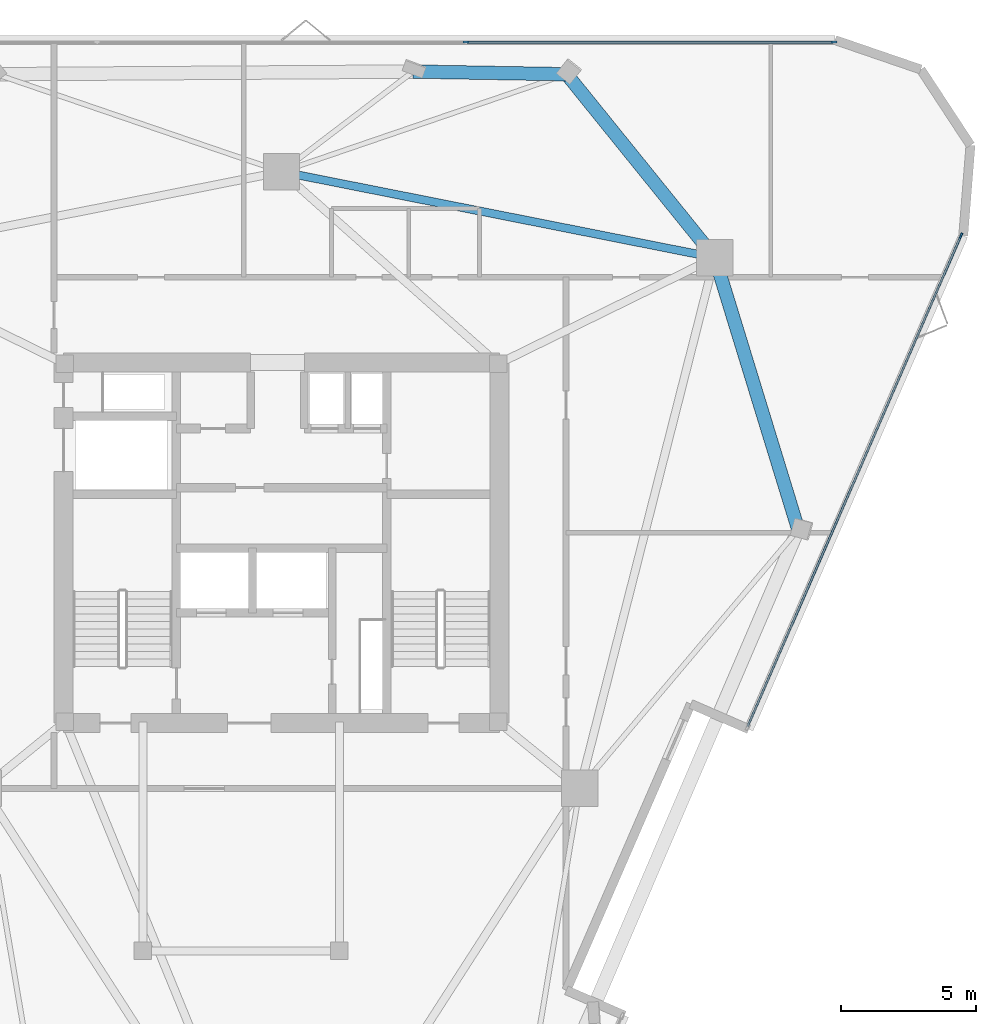
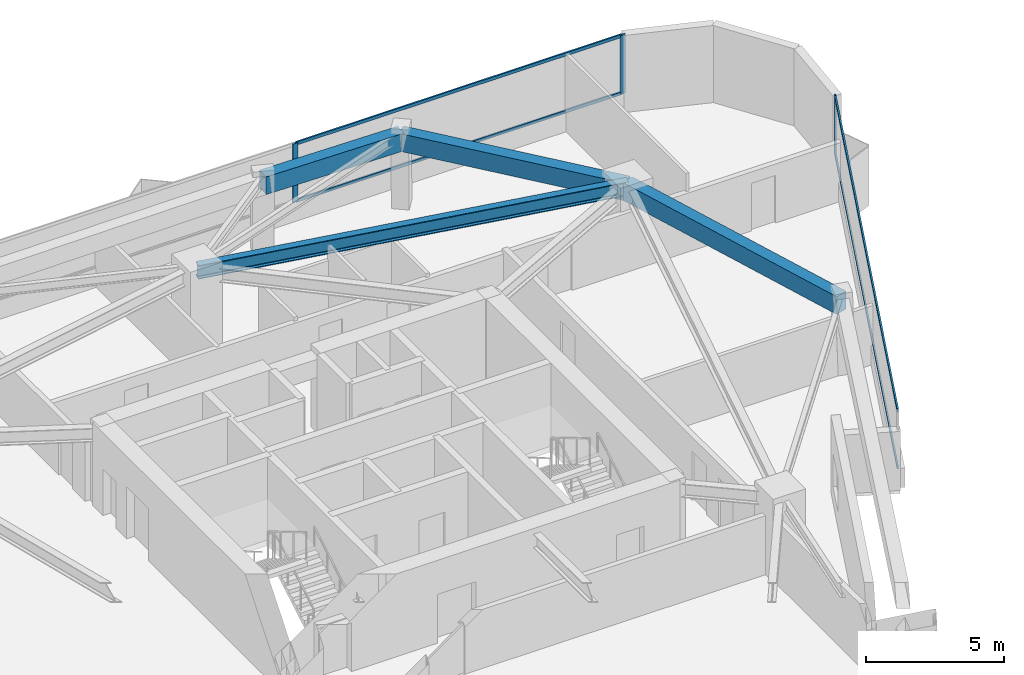
# One storey, part 6 of 10: 7 members, 4 beams, 2 elements without a shape of their own.
"""IFC4 building model written with IfcOpenShell, lengths in metres."""

from ifc_helpers import new_model, si_unit, direction, frame, origin, origin_2d, place, context, subcontext, project, spatial, rectangle, i_section, extrude, material, layer, layer_set, material_profile, profile_set, type_object, element, aggregate, save


model = new_model("IFC4")

# Units and contexts
model_context = context("Model", 3, precision=1e-05, world=origin(), true_north=direction((0.0, 1.0)))
body_context = subcontext(model_context, "Body", "Model", "MODEL_VIEW")
ifc_project = project(units=[si_unit("LENGTHUNIT", "METRE"), si_unit("AREAUNIT", "SQUARE_METRE"), si_unit("VOLUMEUNIT", "CUBIC_METRE"), si_unit("PLANEANGLEUNIT", "RADIAN"), si_unit("MASSUNIT", "GRAM", prefix="KILO")], contexts=[model_context])

# Site, building, storey
site_placement = place(None, origin())
site = spatial("IfcSite", under=ifc_project, at=site_placement, CompositionType="ELEMENT")
building_placement = place(site_placement, origin())
building = spatial("IfcBuilding", under=site, at=building_placement, Name="Talyreon Biosciences Tower", CompositionType="ELEMENT")
storey_placement = place(building_placement, frame((0.0, 0.0, 204.949951171875)))
storey = spatial("IfcBuildingStorey", under=building, at=storey_placement, Name="L54", CompositionType="ELEMENT", Elevation=204.949951171875)

# Curtain wall, members
ifc_material_1 = material(Name="Thermally broken aluminium and low-E glazing", Category="aluminium")
ifc_layer = layer(ifc_material_1, 0.205078125)
ifc_layer_set = layer_set([ifc_layer], Name="Thermally broken aluminium and low-E glazing")
curtain_wall_type = type_object("IfcCurtainWallType", Name="CurtainWall_SkyGardenLoggia", PredefinedType="NOTDEFINED", material=ifc_layer_set)
curtain_wall_1_placement = place(storey_placement, origin())
curtain_wall_1 = element("IfcCurtainWall", 1, at=curtain_wall_1_placement, inside=storey, type_object=curtain_wall_type, Name="L54 Unitised Curtain Wall FCW-L54-03", PredefinedType="NOTDEFINED")
ifc_material_2 = material(Name="Anodised thermally broken aluminium", Category="aluminium")
ifc_material_profile_1 = material_profile(ifc_material_2, rectangle(XDim=0.074951171875, YDim=0.2099609375, at=origin_2d()), Name="ALUM MULLION 75x210")
ifc_profile_set_1 = profile_set([ifc_material_profile_1], Name="Anodised thermally broken aluminium")
member_type_1 = type_object("IfcMemberType", Name="CWMullion_75x210", PredefinedType="MULLION", material=ifc_profile_set_1)
member_1_placement = place(storey_placement, frame((72.855224609375, 86.605224609375, 0.81005859375), z_axis=(0.0, 0.0, 1.0), x_axis=(0.0, 1.0, 0.0)))
member_1 = element("IfcMember", 2, at=member_1_placement, type_object=member_type_1, Name="CW7 mullion 3", PredefinedType="MULLION", context=body_context, shape_type="SweptSolid", body=[
    extrude(rectangle(XDim=0.074951171875, YDim=0.2099609375, at=origin_2d()), origin(), (0.0, 0.0, 1.0), 2.590087890625),
])
member_2_placement = place(storey_placement, frame((86.52783203125, 86.605224609375, 0.81005859375), z_axis=(0.0, 0.0, 1.0), x_axis=(0.0, 1.0, 0.0)))
member_2 = element("IfcMember", 3, at=member_2_placement, type_object=member_type_1, Name="CW7 mullion 4", PredefinedType="MULLION", context=body_context, shape_type="SweptSolid", body=[
    extrude(rectangle(XDim=0.074951171875, YDim=0.2099609375, at=origin_2d()), origin(), (0.0, 0.0, 1.0), 2.590087890625),
])

# Curtain wall, member
curtain_wall_2_placement = place(storey_placement, origin())
curtain_wall_2 = element("IfcCurtainWall", 4, at=curtain_wall_2_placement, inside=storey, type_object=curtain_wall_type, Name="L54 Unitised Curtain Wall FCW-L54-07", PredefinedType="NOTDEFINED")
member_3_placement = place(storey_placement, frame((91.24609375, 79.409912109375, 0.81005859375), z_axis=(0.0, 0.0, 1.0), x_axis=(0.91711290669, -0.398627540924, 0.0)))
member_3 = element("IfcMember", 5, at=member_3_placement, type_object=member_type_1, Name="CW7 mullion 1", PredefinedType="MULLION", context=body_context, shape_type="SweptSolid", body=[
    extrude(rectangle(XDim=0.074951171875, YDim=0.2099609375, at=origin_2d()), origin(), (0.0, 0.0, 1.0), 2.590087890625),
])

# Member
ifc_material_profile_2 = material_profile(ifc_material_2, rectangle(XDim=0.06494140625, YDim=0.139892578125, at=origin_2d()), Name="ALUM TRANSOM 65x140")
ifc_profile_set_2 = profile_set([ifc_material_profile_2], Name="Anodised thermally broken aluminium")
member_type_2 = type_object("IfcMemberType", Name="CWTransom_65x140", PredefinedType="USERDEFINED", material=ifc_profile_set_2)
member_4_placement = place(storey_placement, frame((72.892578125, 86.605224609375, 0.842529296875), z_axis=(1.0, 0.0, 0.0), x_axis=(0.0, 1.0, 0.0)))
member_4 = element("IfcMember", 6, at=member_4_placement, type_object=member_type_2, Name="CW7 transom 3.1", ObjectType="TRANSOM", PredefinedType="USERDEFINED", context=body_context, shape_type="SweptSolid", body=[
    extrude(rectangle(XDim=0.06494140625, YDim=0.139892578125, at=origin_2d()), origin(), (0.0, 0.0, 1.0), 13.597900390625),
])

member_5_placement = place(storey_placement, frame((72.892578125, 86.605224609375, 3.367431640625), z_axis=(1.0, 0.0, 0.0), x_axis=(0.0, 1.0, 0.0)))
member_5 = element("IfcMember", 7, at=member_5_placement, type_object=member_type_2, Name="CW7 transom 3.2", ObjectType="TRANSOM", PredefinedType="USERDEFINED", context=body_context, shape_type="SweptSolid", body=[
    extrude(rectangle(XDim=0.06494140625, YDim=0.139892578125, at=origin_2d()), origin(), (0.0, 0.0, 1.0), 13.597900390625),
])

aggregate(curtain_wall_1, [member_1, member_2, member_4, member_5])

member_6_placement = place(storey_placement, frame((91.231201171875, 79.37548828125, 0.842529296875), z_axis=(-0.398626694368, -0.917113274649, 0.0), x_axis=(0.917113274649, -0.398626694368, 0.0)))
member_6 = element("IfcMember", 8, at=member_6_placement, type_object=member_type_2, Name="CW7 transom 1.1", ObjectType="TRANSOM", PredefinedType="USERDEFINED", context=body_context, shape_type="SweptSolid", body=[
    extrude(rectangle(XDim=0.06494140625, YDim=0.139892578125, at=origin_2d()), origin(), (0.0, 0.0, 1.0), 19.845458984375),
])

member_7_placement = place(storey_placement, frame((91.231201171875, 79.37548828125, 3.367431640625), z_axis=(-0.398626694368, -0.917113274649, 0.0), x_axis=(0.917113274649, -0.398626694368, 0.0)))
member_7 = element("IfcMember", 9, at=member_7_placement, type_object=member_type_2, Name="CW7 transom 1.2", ObjectType="TRANSOM", PredefinedType="USERDEFINED", context=body_context, shape_type="SweptSolid", body=[
    extrude(rectangle(XDim=0.06494140625, YDim=0.139892578125, at=origin_2d()), origin(), (0.0, 0.0, 1.0), 19.845458984375),
])

aggregate(curtain_wall_2, [member_3, member_6, member_7])

# Beams
ifc_material_3 = material(Name="Precast concrete C45/55", Category="concrete")
ifc_material_profile_3 = material_profile(ifc_material_3, rectangle(XDim=0.5, YDim=0.780029296875, at=origin_2d()), Name="RCB 500x780")
ifc_profile_set_3 = profile_set([ifc_material_profile_3], Name="Precast concrete C45/55")
beam_type_1 = type_object("IfcBeamType", Name="ExpressedSpandrel_500x780", PredefinedType="SPANDREL", material=ifc_profile_set_3)
beam_1_placement = place(storey_placement, frame((85.200927734375, 68.49462890625, 3.010009765625), z_axis=(-0.293196150938, 0.956052308755, 0.0), x_axis=(-0.956052308755, -0.293196150938, 0.0)))
element("IfcBeam", 10, at=beam_1_placement, inside=storey, type_object=beam_type_1, Name="L54 Expressed Horizontal Concrete Spandrel 04", PredefinedType="SPANDREL", context=body_context, shape_type="SweptSolid", body=[
    extrude(rectangle(XDim=0.5, YDim=0.780029296875, at=origin_2d()), origin(), (0.0, 0.0, 1.0), 10.568359375),
])
beam_2_placement = place(storey_placement, frame((82.102294921875, 78.5986328125, 3.010009765625), z_axis=(-0.628514172769, 0.777798132312, 0.0), x_axis=(-0.777798132312, -0.628514172769, 0.0)))
element("IfcBeam", 11, at=beam_2_placement, inside=storey, type_object=beam_type_1, Name="L54 Expressed Horizontal Concrete Spandrel 05", PredefinedType="SPANDREL", context=body_context, shape_type="SweptSolid", body=[
    extrude(rectangle(XDim=0.5, YDim=0.780029296875, at=origin_2d()), origin(), (0.0, 0.0, 1.0), 8.760986328125),
])
beam_3_placement = place(storey_placement, frame((76.595947265625, 85.412841796875, 3.010009765625), z_axis=(-0.99984614201, 0.017541160386, 0.0), x_axis=(-0.017541160386, -0.99984614201, 0.0)))
element("IfcBeam", 12, at=beam_3_placement, inside=storey, type_object=beam_type_1, Name="L54 Expressed Horizontal Concrete Spandrel 06", PredefinedType="SPANDREL", context=body_context, shape_type="SweptSolid", body=[
    extrude(rectangle(XDim=0.5, YDim=0.780029296875, at=origin_2d()), origin(), (0.0, 0.0, 1.0), 5.70654296875),
])
ifc_material_4 = material(Name="Steel SM355", Category="steel")
ifc_material_profile_4 = material_profile(ifc_material_4, i_section(OverallWidth=0.300048828125, OverallDepth=0.60009765625, WebThickness=0.015380859375, FlangeThickness=0.030029296875, FilletRadius=0.027099609375, at=origin_2d()), Name="HE600B")
ifc_profile_set_4 = profile_set([ifc_material_profile_4], Name="Steel SM355")
beam_type_2 = type_object("IfcBeamType", Name="SteelBeam_HE600B", PredefinedType="BEAM", material=ifc_profile_set_4)
beam_4_placement = place(storey_placement, frame((82.102294921875, 78.5986328125, 3.10009765625), z_axis=(-0.980933730698, 0.194342522311, 0.0), x_axis=(-0.194342522311, -0.980933730698, 0.0)))
element("IfcBeam", 13, at=beam_4_placement, inside=storey, type_object=beam_type_2, Name="L54 Mega-Ring Girder 3", PredefinedType="BEAM", context=body_context, shape_type="SweptSolid", body=[
    extrude(i_section(OverallWidth=0.300048828125, OverallDepth=0.60009765625, WebThickness=0.015380859375, FlangeThickness=0.030029296875, FilletRadius=0.027099609375, at=origin_2d()), origin(), (0.0, 0.0, 1.0), 16.415283203125),
])

save(model, "model.ifc")
